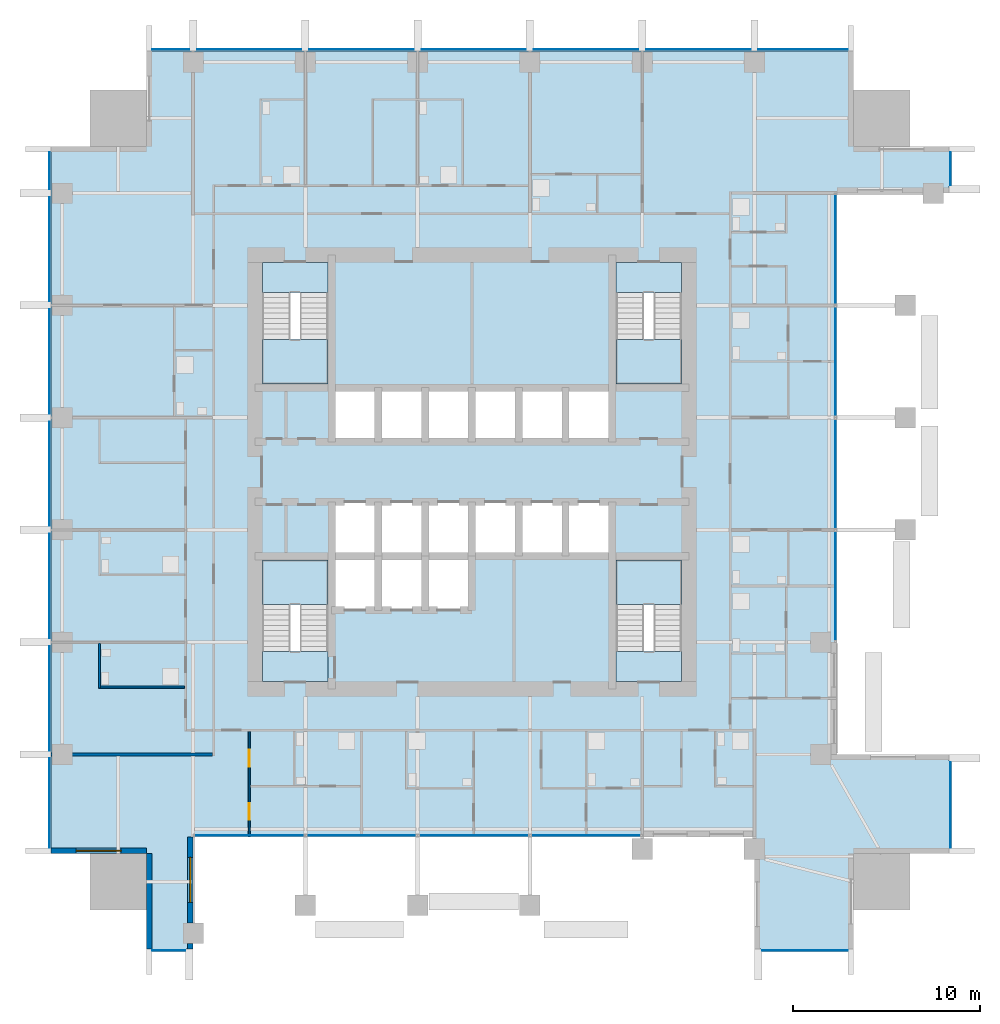
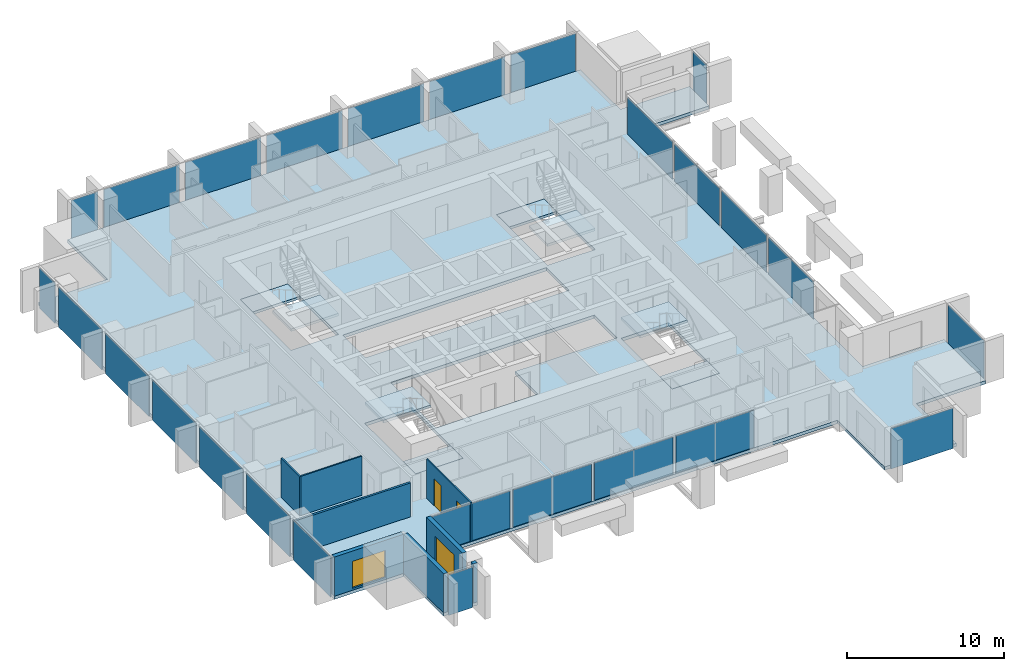
# One storey, part 6 of 13: 26 plates, 9 slabs, 8 walls, 2 doors, 2 windows, 4 openings, 18 elements without a shape of their own.
"""IFC4 building model written with IfcOpenShell, lengths in metres."""

from ifc_helpers import new_model, si_unit, direction, frame, frame_2d, origin, origin_2d, place, context, subcontext, project, spatial, polyline, rectangle, outline, extrude, material, layer, layer_set, type_object, element, fill, aggregate, save


model = new_model("IFC4")

# Units and contexts
model_context = context("Model", 3, precision=1e-05, world=origin(), true_north=direction((0.0, 1.0)))
body_context = subcontext(model_context, "Body", "Model", "MODEL_VIEW")
ifc_project = project(units=[si_unit("LENGTHUNIT", "METRE"), si_unit("AREAUNIT", "SQUARE_METRE"), si_unit("VOLUMEUNIT", "CUBIC_METRE"), si_unit("PLANEANGLEUNIT", "RADIAN"), si_unit("MASSUNIT", "GRAM", prefix="KILO")], contexts=[model_context])

# Site, building, storey
site_placement = place(None, origin())
site = spatial("IfcSite", under=ifc_project, at=site_placement, CompositionType="ELEMENT")
building_placement = place(site_placement, origin())
building = spatial("IfcBuilding", under=site, at=building_placement, Name="Amberfall Residences", CompositionType="ELEMENT")
storey_placement = place(building_placement, frame((0.0, 0.0, 111.699951171875)))
storey = spatial("IfcBuildingStorey", under=building, at=storey_placement, Name="L30", CompositionType="ELEMENT", Elevation=111.699951171875)

# Curtain wall, plate
ifc_material_1 = material(Name="Bronze anodised aluminium and glass", Category="aluminium")
curtain_wall_type_1 = type_object("IfcCurtainWallType", Name="Curtain wall CW1 tower unit", PredefinedType="USERDEFINED", material=ifc_material_1)
curtain_wall_1_placement = place(storey_placement, origin())
curtain_wall_1 = element("IfcCurtainWall", 1, at=curtain_wall_1_placement, inside=storey, type_object=curtain_wall_type_1, Name="Curtain wall L30 S S1", ObjectType="UNITISED CURTAIN WALL", PredefinedType="USERDEFINED")
ifc_material_2 = material(Name="Tinted double glazed unit", Category="glass")
ifc_layer_1 = layer(ifc_material_2, 0.035888671875)
ifc_layer_set_1 = layer_set([ifc_layer_1], Name="CW1 panel 36 glazing")
plate_type_1 = type_object("IfcPlateType", Name="CW1 panel 36 glazing", PredefinedType="CURTAIN_PANEL", material=ifc_layer_set_1)
plate_1_placement = place(storey_placement, frame((58.300048828125, 19.925048828125, -0.25), z_axis=(0.0, 0.0, 1.0), x_axis=(1.0, 0.0, 0.0)))
plate_1 = element("IfcPlate", 2, at=plate_1_placement, type_object=plate_type_1, Name="CW1 panel 1.1", PredefinedType="CURTAIN_PANEL", context=body_context, shape_type="SweptSolid", body=[
    extrude(rectangle(XDim=1.77587890625, YDim=0.035888671875, at=origin_2d()), origin(), (0.0, 0.0, 1.0), 3.14990234375),
])
aggregate(curtain_wall_1, [plate_1])

curtain_wall_2_placement = place(storey_placement, origin())
curtain_wall_2 = element("IfcCurtainWall", 3, at=curtain_wall_2_placement, inside=storey, type_object=curtain_wall_type_1, Name="Curtain wall L30 S S9", ObjectType="UNITISED CURTAIN WALL", PredefinedType="USERDEFINED")
plate_2_placement = place(storey_placement, frame((92.300048828125, 19.925048828125, -0.25), z_axis=(0.0, 0.0, 1.0), x_axis=(1.0, 0.0, 0.0)))
plate_2 = element("IfcPlate", 4, at=plate_2_placement, type_object=plate_type_1, Name="CW1 panel 1.1", PredefinedType="CURTAIN_PANEL", context=body_context, shape_type="SweptSolid", body=[
    extrude(rectangle(XDim=4.575927734375, YDim=0.035888671875, at=origin_2d()), origin(), (0.0, 0.0, 1.0), 3.14990234375),
])
aggregate(curtain_wall_2, [plate_2])

curtain_wall_3_placement = place(storey_placement, origin())
curtain_wall_3 = element("IfcCurtainWall", 5, at=curtain_wall_3_placement, inside=storey, type_object=curtain_wall_type_1, Name="Curtain wall L30 E E1", ObjectType="UNITISED CURTAIN WALL", PredefinedType="USERDEFINED")
plate_3_placement = place(storey_placement, frame((100.074951171875, 27.699951171875, -0.25), z_axis=(0.0, 0.0, 1.0), x_axis=(0.0, 1.0, 0.0)))
plate_3 = element("IfcPlate", 6, at=plate_3_placement, type_object=plate_type_1, Name="CW1 panel 1.1", PredefinedType="CURTAIN_PANEL", context=body_context, shape_type="SweptSolid", body=[
    extrude(rectangle(XDim=4.575927734375, YDim=0.035888671875, at=origin_2d()), origin(), (0.0, 0.0, 1.0), 3.14990234375),
])
aggregate(curtain_wall_3, [plate_3])

curtain_wall_4_placement = place(storey_placement, origin())
curtain_wall_4 = element("IfcCurtainWall", 7, at=curtain_wall_4_placement, inside=storey, type_object=curtain_wall_type_1, Name="Curtain wall L30 E E9", ObjectType="UNITISED CURTAIN WALL", PredefinedType="USERDEFINED")
plate_4_placement = place(storey_placement, frame((100.074951171875, 61.699951171875, -0.25), z_axis=(0.0, 0.0, 1.0), x_axis=(0.0, 1.0, 0.0)))
plate_4 = element("IfcPlate", 8, at=plate_4_placement, type_object=plate_type_1, Name="CW1 panel 1.1", PredefinedType="CURTAIN_PANEL", context=body_context, shape_type="SweptSolid", body=[
    extrude(rectangle(XDim=1.77587890625, YDim=0.035888671875, at=origin_2d()), origin(), (0.0, 0.0, 1.0), 3.14990234375),
])
aggregate(curtain_wall_4, [plate_4])

# Curtain wall, plates
curtain_wall_5_placement = place(storey_placement, origin())
curtain_wall_5 = element("IfcCurtainWall", 9, at=curtain_wall_5_placement, inside=storey, type_object=curtain_wall_type_1, Name="Curtain wall L30 N N1", ObjectType="UNITISED CURTAIN WALL", PredefinedType="USERDEFINED")
plate_5_placement = place(storey_placement, frame((92.199951171875, 68.074951171875, -0.25), z_axis=(0.0, 0.0, 1.0), x_axis=(-1.0, 0.0, 0.0)))
plate_5 = element("IfcPlate", 10, at=plate_5_placement, type_object=plate_type_1, Name="CW1 panel 1.1", PredefinedType="CURTAIN_PANEL", context=body_context, shape_type="SweptSolid", body=[
    extrude(rectangle(XDim=4.77587890625, YDim=0.035888671875, at=origin_2d()), origin(), (0.0, 0.0, 1.0), 3.14990234375),
])
plate_6_placement = place(storey_placement, frame((86.60009765625, 68.074951171875, -0.25), z_axis=(0.0, 0.0, 1.0), x_axis=(-1.0, 0.0, 0.0)))
plate_6 = element("IfcPlate", 11, at=plate_6_placement, type_object=plate_type_1, Name="CW1 panel 2.1", PredefinedType="CURTAIN_PANEL", context=body_context, shape_type="SweptSolid", body=[
    extrude(rectangle(XDim=5.575927734375, YDim=0.035888671875, at=origin_2d()), origin(), (0.0, 0.0, 1.0), 3.14990234375),
])
plate_7_placement = place(storey_placement, frame((80.60009765625, 68.074951171875, -0.25), z_axis=(0.0, 0.0, 1.0), x_axis=(-1.0, 0.0, 0.0)))
plate_7 = element("IfcPlate", 12, at=plate_7_placement, type_object=plate_type_1, Name="CW1 panel 3.1", PredefinedType="CURTAIN_PANEL", context=body_context, shape_type="SweptSolid", body=[
    extrude(rectangle(XDim=5.575927734375, YDim=0.035888671875, at=origin_2d()), origin(), (0.0, 0.0, 1.0), 3.14990234375),
])
plate_8_placement = place(storey_placement, frame((74.60009765625, 68.074951171875, -0.25), z_axis=(0.0, 0.0, 1.0), x_axis=(-1.0, 0.0, 0.0)))
plate_8 = element("IfcPlate", 13, at=plate_8_placement, type_object=plate_type_1, Name="CW1 panel 4.1", PredefinedType="CURTAIN_PANEL", context=body_context, shape_type="SweptSolid", body=[
    extrude(rectangle(XDim=5.575927734375, YDim=0.035888671875, at=origin_2d()), origin(), (0.0, 0.0, 1.0), 3.14990234375),
])
plate_9_placement = place(storey_placement, frame((68.60009765625, 68.074951171875, -0.25), z_axis=(0.0, 0.0, 1.0), x_axis=(-1.0, 0.0, 0.0)))
plate_9 = element("IfcPlate", 14, at=plate_9_placement, type_object=plate_type_1, Name="CW1 panel 5.1", PredefinedType="CURTAIN_PANEL", context=body_context, shape_type="SweptSolid", body=[
    extrude(rectangle(XDim=5.575927734375, YDim=0.035888671875, at=origin_2d()), origin(), (0.0, 0.0, 1.0), 3.14990234375),
])
plate_10_placement = place(storey_placement, frame((62.60009765625, 68.074951171875, -0.25), z_axis=(0.0, 0.0, 1.0), x_axis=(-1.0, 0.0, 0.0)))
plate_10 = element("IfcPlate", 15, at=plate_10_placement, type_object=plate_type_1, Name="CW1 panel 6.1", PredefinedType="CURTAIN_PANEL", context=body_context, shape_type="SweptSolid", body=[
    extrude(rectangle(XDim=5.575927734375, YDim=0.035888671875, at=origin_2d()), origin(), (0.0, 0.0, 1.0), 3.14990234375),
])
plate_11_placement = place(storey_placement, frame((58.39990234375, 68.074951171875, -0.25), z_axis=(0.0, 0.0, 1.0), x_axis=(-1.0, 0.0, 0.0)))
plate_11 = element("IfcPlate", 16, at=plate_11_placement, type_object=plate_type_1, Name="CW1 panel 7.1", PredefinedType="CURTAIN_PANEL", context=body_context, shape_type="SweptSolid", body=[
    extrude(rectangle(XDim=1.97607421875, YDim=0.035888671875, at=origin_2d()), origin(), (0.0, 0.0, 1.0), 3.14990234375),
])
aggregate(curtain_wall_5, [plate_5, plate_6, plate_7, plate_8, plate_9, plate_10, plate_11])

curtain_wall_6_placement = place(storey_placement, origin())
curtain_wall_6 = element("IfcCurtainWall", 17, at=curtain_wall_6_placement, inside=storey, type_object=curtain_wall_type_1, Name="Curtain wall L30 W W1", ObjectType="UNITISED CURTAIN WALL", PredefinedType="USERDEFINED")
plate_12_placement = place(storey_placement, frame((51.925048828125, 61.60009765625, -0.25), z_axis=(0.0, 0.0, 1.0), x_axis=(0.0, -1.0, 0.0)))
plate_12 = element("IfcPlate", 18, at=plate_12_placement, type_object=plate_type_1, Name="CW1 panel 1.1", PredefinedType="CURTAIN_PANEL", context=body_context, shape_type="SweptSolid", body=[
    extrude(rectangle(XDim=1.97607421875, YDim=0.035888671875, at=origin_2d()), origin(), (0.0, 0.0, 1.0), 3.14990234375),
])
plate_13_placement = place(storey_placement, frame((51.925048828125, 57.39990234375, -0.25), z_axis=(0.0, 0.0, 1.0), x_axis=(0.0, -1.0, 0.0)))
plate_13 = element("IfcPlate", 19, at=plate_13_placement, type_object=plate_type_1, Name="CW1 panel 2.1", PredefinedType="CURTAIN_PANEL", context=body_context, shape_type="SweptSolid", body=[
    extrude(rectangle(XDim=5.575927734375, YDim=0.035888671875, at=origin_2d()), origin(), (0.0, 0.0, 1.0), 3.14990234375),
])
plate_14_placement = place(storey_placement, frame((51.925048828125, 51.39990234375, -0.25), z_axis=(0.0, 0.0, 1.0), x_axis=(0.0, -1.0, 0.0)))
plate_14 = element("IfcPlate", 20, at=plate_14_placement, type_object=plate_type_1, Name="CW1 panel 3.1", PredefinedType="CURTAIN_PANEL", context=body_context, shape_type="SweptSolid", body=[
    extrude(rectangle(XDim=5.575927734375, YDim=0.035888671875, at=origin_2d()), origin(), (0.0, 0.0, 1.0), 3.14990234375),
])
plate_15_placement = place(storey_placement, frame((51.925048828125, 45.39990234375, -0.25), z_axis=(0.0, 0.0, 1.0), x_axis=(0.0, -1.0, 0.0)))
plate_15 = element("IfcPlate", 21, at=plate_15_placement, type_object=plate_type_1, Name="CW1 panel 4.1", PredefinedType="CURTAIN_PANEL", context=body_context, shape_type="SweptSolid", body=[
    extrude(rectangle(XDim=5.575927734375, YDim=0.035888671875, at=origin_2d()), origin(), (0.0, 0.0, 1.0), 3.14990234375),
])
plate_16_placement = place(storey_placement, frame((51.925048828125, 39.39990234375, -0.25), z_axis=(0.0, 0.0, 1.0), x_axis=(0.0, -1.0, 0.0)))
plate_16 = element("IfcPlate", 22, at=plate_16_placement, type_object=plate_type_1, Name="CW1 panel 5.1", PredefinedType="CURTAIN_PANEL", context=body_context, shape_type="SweptSolid", body=[
    extrude(rectangle(XDim=5.575927734375, YDim=0.035888671875, at=origin_2d()), origin(), (0.0, 0.0, 1.0), 3.14990234375),
])
plate_17_placement = place(storey_placement, frame((51.925048828125, 33.39990234375, -0.25), z_axis=(0.0, 0.0, 1.0), x_axis=(0.0, -1.0, 0.0)))
plate_17 = element("IfcPlate", 23, at=plate_17_placement, type_object=plate_type_1, Name="CW1 panel 6.1", PredefinedType="CURTAIN_PANEL", context=body_context, shape_type="SweptSolid", body=[
    extrude(rectangle(XDim=5.575927734375, YDim=0.035888671875, at=origin_2d()), origin(), (0.0, 0.0, 1.0), 3.14990234375),
])
plate_18_placement = place(storey_placement, frame((51.925048828125, 27.800048828125, -0.25), z_axis=(0.0, 0.0, 1.0), x_axis=(0.0, -1.0, 0.0)))
plate_18 = element("IfcPlate", 24, at=plate_18_placement, type_object=plate_type_1, Name="CW1 panel 7.1", PredefinedType="CURTAIN_PANEL", context=body_context, shape_type="SweptSolid", body=[
    extrude(rectangle(XDim=4.77587890625, YDim=0.035888671875, at=origin_2d()), origin(), (0.0, 0.0, 1.0), 3.14990234375),
])
aggregate(curtain_wall_6, [plate_12, plate_13, plate_14, plate_15, plate_16, plate_17, plate_18])

# Curtain wall, plate
curtain_wall_type_2 = type_object("IfcCurtainWallType", Name="Curtain wall CW3 sky garden glazing", PredefinedType="USERDEFINED", material=ifc_material_1)
curtain_wall_7_placement = place(storey_placement, origin())
curtain_wall_7 = element("IfcCurtainWall", 25, at=curtain_wall_7_placement, inside=storey, type_object=curtain_wall_type_2, Name="Curtain wall L30 S S3", ObjectType="UNITISED CURTAIN WALL", PredefinedType="USERDEFINED")
ifc_material_3 = material(Name="Tinted laminated double glazed unit", Category="glass")
ifc_layer_2 = layer(ifc_material_3, 0.0439453125)
ifc_layer_set_2 = layer_set([ifc_layer_2], Name="CW3 panel 44 glazing")
plate_type_2 = type_object("IfcPlateType", Name="CW3 panel 44 glazing", PredefinedType="CURTAIN_PANEL", material=ifc_layer_set_2)
plate_19_placement = place(storey_placement, frame((62.60009765625, 26.074951171875, 0.0), z_axis=(0.0, 0.0, 1.0), x_axis=(1.0, 0.0, 0.0)))
plate_19 = element("IfcPlate", 26, at=plate_19_placement, type_object=plate_type_2, Name="CW3 panel 1.1", PredefinedType="CURTAIN_PANEL", context=body_context, shape_type="SweptSolid", body=[
    extrude(rectangle(XDim=5.77587890625, YDim=0.0439453125, at=origin_2d()), origin(), (0.0, 0.0, 1.0), 2.89990234375),
])
aggregate(curtain_wall_7, [plate_19])

curtain_wall_8_placement = place(storey_placement, origin())
curtain_wall_8 = element("IfcCurtainWall", 27, at=curtain_wall_8_placement, inside=storey, type_object=curtain_wall_type_2, Name="Curtain wall L30 S S4", ObjectType="UNITISED CURTAIN WALL", PredefinedType="USERDEFINED")
plate_20_placement = place(storey_placement, frame((68.60009765625, 26.074951171875, 0.0), z_axis=(0.0, 0.0, 1.0), x_axis=(1.0, 0.0, 0.0)))
plate_20 = element("IfcPlate", 28, at=plate_20_placement, type_object=plate_type_2, Name="CW3 panel 1.1", PredefinedType="CURTAIN_PANEL", context=body_context, shape_type="SweptSolid", body=[
    extrude(rectangle(XDim=5.77587890625, YDim=0.0439453125, at=origin_2d()), origin(), (0.0, 0.0, 1.0), 2.89990234375),
])
aggregate(curtain_wall_8, [plate_20])

curtain_wall_9_placement = place(storey_placement, origin())
curtain_wall_9 = element("IfcCurtainWall", 29, at=curtain_wall_9_placement, inside=storey, type_object=curtain_wall_type_2, Name="Curtain wall L30 S S5", ObjectType="UNITISED CURTAIN WALL", PredefinedType="USERDEFINED")
plate_21_placement = place(storey_placement, frame((74.60009765625, 26.074951171875, 0.0), z_axis=(0.0, 0.0, 1.0), x_axis=(1.0, 0.0, 0.0)))
plate_21 = element("IfcPlate", 30, at=plate_21_placement, type_object=plate_type_2, Name="CW3 panel 1.1", PredefinedType="CURTAIN_PANEL", context=body_context, shape_type="SweptSolid", body=[
    extrude(rectangle(XDim=5.77587890625, YDim=0.0439453125, at=origin_2d()), origin(), (0.0, 0.0, 1.0), 2.89990234375),
])
aggregate(curtain_wall_9, [plate_21])

curtain_wall_10_placement = place(storey_placement, origin())
curtain_wall_10 = element("IfcCurtainWall", 31, at=curtain_wall_10_placement, inside=storey, type_object=curtain_wall_type_2, Name="Curtain wall L30 S S6", ObjectType="UNITISED CURTAIN WALL", PredefinedType="USERDEFINED")
plate_22_placement = place(storey_placement, frame((80.60009765625, 26.074951171875, 0.0), z_axis=(0.0, 0.0, 1.0), x_axis=(1.0, 0.0, 0.0)))
plate_22 = element("IfcPlate", 32, at=plate_22_placement, type_object=plate_type_2, Name="CW3 panel 1.1", PredefinedType="CURTAIN_PANEL", context=body_context, shape_type="SweptSolid", body=[
    extrude(rectangle(XDim=5.77587890625, YDim=0.0439453125, at=origin_2d()), origin(), (0.0, 0.0, 1.0), 2.89990234375),
])
aggregate(curtain_wall_10, [plate_22])

curtain_wall_11_placement = place(storey_placement, origin())
curtain_wall_11 = element("IfcCurtainWall", 33, at=curtain_wall_11_placement, inside=storey, type_object=curtain_wall_type_2, Name="Curtain wall L30 E E4", ObjectType="UNITISED CURTAIN WALL", PredefinedType="USERDEFINED")
plate_23_placement = place(storey_placement, frame((93.925048828125, 39.39990234375, 0.0), z_axis=(0.0, 0.0, 1.0), x_axis=(0.0, 1.0, 0.0)))
plate_23 = element("IfcPlate", 34, at=plate_23_placement, type_object=plate_type_2, Name="CW3 panel 1.1", PredefinedType="CURTAIN_PANEL", context=body_context, shape_type="SweptSolid", body=[
    extrude(rectangle(XDim=5.77587890625, YDim=0.0439453125, at=origin_2d()), origin(), (0.0, 0.0, 1.0), 2.89990234375),
])
aggregate(curtain_wall_11, [plate_23])

curtain_wall_12_placement = place(storey_placement, origin())
curtain_wall_12 = element("IfcCurtainWall", 35, at=curtain_wall_12_placement, inside=storey, type_object=curtain_wall_type_2, Name="Curtain wall L30 E E5", ObjectType="UNITISED CURTAIN WALL", PredefinedType="USERDEFINED")
plate_24_placement = place(storey_placement, frame((93.925048828125, 45.39990234375, 0.0), z_axis=(0.0, 0.0, 1.0), x_axis=(0.0, 1.0, 0.0)))
plate_24 = element("IfcPlate", 36, at=plate_24_placement, type_object=plate_type_2, Name="CW3 panel 1.1", PredefinedType="CURTAIN_PANEL", context=body_context, shape_type="SweptSolid", body=[
    extrude(rectangle(XDim=5.77587890625, YDim=0.0439453125, at=origin_2d()), origin(), (0.0, 0.0, 1.0), 2.89990234375),
])
aggregate(curtain_wall_12, [plate_24])

curtain_wall_13_placement = place(storey_placement, origin())
curtain_wall_13 = element("IfcCurtainWall", 37, at=curtain_wall_13_placement, inside=storey, type_object=curtain_wall_type_2, Name="Curtain wall L30 E E6", ObjectType="UNITISED CURTAIN WALL", PredefinedType="USERDEFINED")
plate_25_placement = place(storey_placement, frame((93.925048828125, 51.39990234375, 0.0), z_axis=(0.0, 0.0, 1.0), x_axis=(0.0, 1.0, 0.0)))
plate_25 = element("IfcPlate", 38, at=plate_25_placement, type_object=plate_type_2, Name="CW3 panel 1.1", PredefinedType="CURTAIN_PANEL", context=body_context, shape_type="SweptSolid", body=[
    extrude(rectangle(XDim=5.77587890625, YDim=0.0439453125, at=origin_2d()), origin(), (0.0, 0.0, 1.0), 2.89990234375),
])
aggregate(curtain_wall_13, [plate_25])

curtain_wall_14_placement = place(storey_placement, origin())
curtain_wall_14 = element("IfcCurtainWall", 39, at=curtain_wall_14_placement, inside=storey, type_object=curtain_wall_type_2, Name="Curtain wall L30 E E7", ObjectType="UNITISED CURTAIN WALL", PredefinedType="USERDEFINED")
plate_26_placement = place(storey_placement, frame((93.925048828125, 57.39990234375, 0.0), z_axis=(0.0, 0.0, 1.0), x_axis=(0.0, 1.0, 0.0)))
plate_26 = element("IfcPlate", 40, at=plate_26_placement, type_object=plate_type_2, Name="CW3 panel 1.1", PredefinedType="CURTAIN_PANEL", context=body_context, shape_type="SweptSolid", body=[
    extrude(rectangle(XDim=5.77587890625, YDim=0.0439453125, at=origin_2d()), origin(), (0.0, 0.0, 1.0), 2.89990234375),
])
aggregate(curtain_wall_14, [plate_26])

# Slab
ifc_material_4 = material(Name="Concrete C70", Category="concrete")
ifc_layer_3 = layer(ifc_material_4, 0.25)
ifc_layer_set_3 = layer_set([ifc_layer_3], Name="Floor slab 250 C70")
slab_type_1 = type_object("IfcSlabType", Name="Floor slab 250 C70", PredefinedType="FLOOR", material=ifc_layer_set_3)
slab_1_placement = place(storey_placement, frame((0.0, 0.0, -0.25)))
element("IfcSlab", 41, at=slab_1_placement, inside=storey, type_object=slab_type_1, Name="Floor slab S7 L30", PredefinedType="FLOOR", context=body_context, shape_type="SweptSolid", body=[
    extrude(outline(polyline([(89.60009765625, 20.0), (89.60009765625, 26.0), (83.60009765625, 26.0), (77.60009765625, 26.0), (71.60009765625, 26.0), (65.60009765625, 26.0), (59.60009765625, 26.0), (59.60009765625, 20.0), (57.10009765625, 20.0), (57.10009765625, 25.10009765625), (52.0, 25.10009765625), (52.0, 62.89990234375), (57.10009765625, 62.89990234375), (57.10009765625, 68.0), (94.89990234375, 68.0), (94.89990234375, 62.89990234375), (100.0, 62.89990234375), (100.0, 60.39990234375), (94.0, 60.39990234375), (94.0, 54.39990234375), (94.0, 48.39990234375), (94.0, 42.39990234375), (94.0, 36.39990234375), (94.0, 30.39990234375), (100.0, 30.39990234375), (100.0, 25.10009765625), (94.89990234375, 25.10009765625), (94.89990234375, 20.0), (89.60009765625, 20.0)]), holes=[polyline([(85.699951171875, 34.300048828125), (85.699951171875, 40.800048828125), (82.199951171875, 40.800048828125), (82.199951171875, 34.300048828125), (85.699951171875, 34.300048828125)]), polyline([(82.199951171875, 50.199951171875), (85.699951171875, 50.199951171875), (85.699951171875, 56.699951171875), (82.199951171875, 56.699951171875), (82.199951171875, 50.199951171875)]), polyline([(69.5, 50.0), (67.0, 50.0), (67.0, 47.10009765625), (69.5, 47.10009765625), (72.0, 47.10009765625), (74.5, 47.10009765625), (77.0, 47.10009765625), (79.5, 47.10009765625), (82.0, 47.10009765625), (82.0, 50.0), (79.5, 50.0), (77.0, 50.0), (74.5, 50.0), (72.0, 50.0), (69.5, 50.0)]), polyline([(74.5, 41.0), (77.0, 41.0), (79.5, 41.0), (82.0, 41.0), (82.0, 43.89990234375), (79.5, 43.89990234375), (77.0, 43.89990234375), (74.5, 43.89990234375), (72.0, 43.89990234375), (69.5, 43.89990234375), (67.0, 43.89990234375), (67.0, 41.0), (67.0, 38.10009765625), (69.5, 38.10009765625), (72.0, 38.10009765625), (74.5, 38.10009765625), (74.5, 41.0)]), polyline([(66.800048828125, 34.300048828125), (66.800048828125, 40.800048828125), (63.300048828125, 40.800048828125), (63.300048828125, 34.300048828125), (66.800048828125, 34.300048828125)]), polyline([(66.800048828125, 50.199951171875), (66.800048828125, 56.699951171875), (63.300048828125, 56.699951171875), (63.300048828125, 50.199951171875), (66.800048828125, 50.199951171875)])]), origin(), (0.0, 0.0, 1.0), 0.25),
])

# Stair, slabs
ifc_material_5 = material(Name="Concrete C40", Category="concrete")
stair_type = type_object("IfcStairType", Name="Exit stair 20 risers 165.0 mm", PredefinedType="HALF_TURN_STAIR", material=ifc_material_5)
stair_1_placement = place(storey_placement, origin())
stair_1 = element("IfcStair", 42, at=stair_1_placement, inside=storey, type_object=stair_type, Name="L30 Exit stair 1", PredefinedType="HALF_TURN_STAIR")
ifc_layer_4 = layer(ifc_material_5, 0.199951171875)
ifc_layer_set_4 = layer_set([ifc_layer_4], Name="Stair landing 200")
slab_type_2 = type_object("IfcSlabType", Name="Stair landing 200", PredefinedType="LANDING", material=ifc_layer_set_4)
slab_2_placement = place(storey_placement, frame((0.0, 0.0, 1.449951171875)))
slab_2 = element("IfcSlab", 43, at=slab_2_placement, type_object=slab_type_2, Name="ST3 landing 1", PredefinedType="LANDING", context=body_context, shape_type="SweptSolid", body=[
    extrude(outline(polyline([(66.800048828125, 38.419921875), (66.800048828125, 40.800048828125), (63.300048828125, 40.800048828125), (63.300048828125, 38.419921875), (66.800048828125, 38.419921875)])), origin(), (0.0, 0.0, 1.0), 0.2001953125),
])
slab_3_placement = place(storey_placement, frame((0.0, 0.0, -0.199951171875)))
slab_3 = element("IfcSlab", 44, at=slab_3_placement, type_object=slab_type_2, Name="ST3 landing 2", PredefinedType="LANDING", context=body_context, shape_type="SweptSolid", body=[
    extrude(outline(polyline([(66.800048828125, 34.300048828125), (66.800048828125, 35.89990234375), (63.300048828125, 35.89990234375), (63.300048828125, 34.300048828125), (66.800048828125, 34.300048828125)])), origin(), (0.0, 0.0, 1.0), 0.199951171875),
])
aggregate(stair_1, [slab_2, slab_3])

stair_2_placement = place(storey_placement, origin())
stair_2 = element("IfcStair", 45, at=stair_2_placement, inside=storey, type_object=stair_type, Name="L30 Exit stair 2", PredefinedType="HALF_TURN_STAIR")
slab_4_placement = place(storey_placement, frame((0.0, 0.0, 1.449951171875)))
slab_4 = element("IfcSlab", 46, at=slab_4_placement, type_object=slab_type_2, Name="ST3 landing 1", PredefinedType="LANDING", context=body_context, shape_type="SweptSolid", body=[
    extrude(outline(polyline([(85.699951171875, 38.419921875), (85.699951171875, 40.800048828125), (82.199951171875, 40.800048828125), (82.199951171875, 38.419921875), (85.699951171875, 38.419921875)])), origin(), (0.0, 0.0, 1.0), 0.2001953125),
])
slab_5_placement = place(storey_placement, frame((0.0, 0.0, -0.199951171875)))
slab_5 = element("IfcSlab", 47, at=slab_5_placement, type_object=slab_type_2, Name="ST3 landing 2", PredefinedType="LANDING", context=body_context, shape_type="SweptSolid", body=[
    extrude(outline(polyline([(85.699951171875, 34.300048828125), (85.699951171875, 35.89990234375), (82.199951171875, 35.89990234375), (82.199951171875, 34.300048828125), (85.699951171875, 34.300048828125)])), origin(), (0.0, 0.0, 1.0), 0.199951171875),
])
aggregate(stair_2, [slab_4, slab_5])

stair_3_placement = place(storey_placement, origin())
stair_3 = element("IfcStair", 48, at=stair_3_placement, inside=storey, type_object=stair_type, Name="L30 Exit stair 3", PredefinedType="HALF_TURN_STAIR")
slab_6_placement = place(storey_placement, frame((0.0, 0.0, 1.449951171875)))
slab_6 = element("IfcSlab", 49, at=slab_6_placement, type_object=slab_type_2, Name="ST3 landing 1", PredefinedType="LANDING", context=body_context, shape_type="SweptSolid", body=[
    extrude(outline(polyline([(82.199951171875, 52.580078125), (82.199951171875, 50.199951171875), (85.699951171875, 50.199951171875), (85.699951171875, 52.580078125), (82.199951171875, 52.580078125)])), origin(), (0.0, 0.0, 1.0), 0.2001953125),
])
slab_7_placement = place(storey_placement, frame((0.0, 0.0, -0.199951171875)))
slab_7 = element("IfcSlab", 50, at=slab_7_placement, type_object=slab_type_2, Name="ST3 landing 2", PredefinedType="LANDING", context=body_context, shape_type="SweptSolid", body=[
    extrude(outline(polyline([(82.199951171875, 56.699951171875), (82.199951171875, 55.10009765625), (85.699951171875, 55.10009765625), (85.699951171875, 56.699951171875), (82.199951171875, 56.699951171875)])), origin(), (0.0, 0.0, 1.0), 0.199951171875),
])
aggregate(stair_3, [slab_6, slab_7])

stair_4_placement = place(storey_placement, origin())
stair_4 = element("IfcStair", 51, at=stair_4_placement, inside=storey, type_object=stair_type, Name="L30 Exit stair 4", PredefinedType="HALF_TURN_STAIR")
slab_8_placement = place(storey_placement, frame((0.0, 0.0, 1.449951171875)))
slab_8 = element("IfcSlab", 52, at=slab_8_placement, type_object=slab_type_2, Name="ST3 landing 1", PredefinedType="LANDING", context=body_context, shape_type="SweptSolid", body=[
    extrude(outline(polyline([(63.300048828125, 52.580078125), (63.300048828125, 50.199951171875), (66.800048828125, 50.199951171875), (66.800048828125, 52.580078125), (63.300048828125, 52.580078125)])), origin(), (0.0, 0.0, 1.0), 0.2001953125),
])
slab_9_placement = place(storey_placement, frame((0.0, 0.0, -0.199951171875)))
slab_9 = element("IfcSlab", 53, at=slab_9_placement, type_object=slab_type_2, Name="ST3 landing 2", PredefinedType="LANDING", context=body_context, shape_type="SweptSolid", body=[
    extrude(outline(polyline([(63.300048828125, 56.699951171875), (63.300048828125, 55.10009765625), (66.800048828125, 55.10009765625), (66.800048828125, 56.699951171875), (63.300048828125, 56.699951171875)])), origin(), (0.0, 0.0, 1.0), 0.199951171875),
])
aggregate(stair_4, [slab_8, slab_9])

# Wall
ifc_material_6 = material(Name="Pale stone cladding on insulated backing", Category="masonry")
ifc_layer_5 = layer(ifc_material_6, 0.300048828125)
ifc_layer_set_5 = layer_set([ifc_layer_5], Name="Bronze clad wall 300")
wall_type_1 = type_object("IfcWallType", Name="Bronze clad wall 300", PredefinedType="SOLIDWALL", material=ifc_layer_set_5)
wall_1_placement = place(storey_placement, frame((59.449951171875, 20.0, 0.0), z_axis=(0.0, 0.0, 1.0), x_axis=(0.0, 1.0, 0.0)))
element("IfcWall", 54, at=wall_1_placement, inside=storey, type_object=wall_type_1, Name="External wall L30 S", PredefinedType="SOLIDWALL", context=body_context, shape_type="SweptSolid", body=[
    extrude(rectangle(XDim=0.300048828125, YDim=0.300048828125, at=frame_2d((0.14990234375, 0.0))), origin(), (0.0, 0.0, 1.0), 3.050048828125),
])

# Wall, opening, window
wall_2_placement = place(storey_placement, frame((59.449951171875, 21.39990234375, 0.0), z_axis=(0.0, 0.0, 1.0), x_axis=(0.0, 1.0, 0.0)))
wall_2 = element("IfcWall", 55, at=wall_2_placement, inside=storey, type_object=wall_type_1, Name="External wall L30 S", PredefinedType="SOLIDWALL", context=body_context, shape_type="SweptSolid", body=[
    extrude(rectangle(XDim=4.60009765625, YDim=0.300048828125, at=frame_2d((2.300048828125, 0.0))), origin(), (0.0, 0.0, 1.0), 3.050048828125),
])
opening_1_placement = place(wall_2_placement, frame((1.10009765625, 0.0, 0.14990234375)))
opening_1 = element("IfcOpeningElement", 56, at=opening_1_placement, cuts=wall_2, Name="Opening WN5", PredefinedType="OPENING", context=body_context, shape_type="SweptSolid", body=[
    extrude(rectangle(XDim=2.39990234375, YDim=2.10009765625, at=frame_2d((1.199951171875, 1.050048828125))), frame((0.0, 0.159912109375, 0.0), z_axis=(0.0, -1.0, 0.0), x_axis=(1.0, 0.0, 0.0)), (0.0, 0.0, 1.0), 0.320068359375),
])
ifc_material_7 = material(Name="Bronze aluminium framed glazing", Category="aluminium")
window_type = type_object("IfcWindowType", Name="Glazed opening 2400 x 2100 bronze", PartitioningType="DOUBLE_PANEL_VERTICAL", PredefinedType="WINDOW", material=ifc_material_7)
window_1_placement = place(opening_1_placement, origin())
window_1 = element("IfcWindow", 57, at=window_1_placement, inside=storey, type_object=window_type, Name="Window L30 S", OverallHeight=2.10009765625, OverallWidth=2.39990234375, PartitioningType="DOUBLE_PANEL_VERTICAL", PredefinedType="WINDOW", context=body_context, shape_type="SweptSolid", body=[
    extrude(rectangle(XDim=2.39990234375, YDim=2.10009765625, at=frame_2d((1.199951171875, 1.050048828125))), frame((0.0, 0.030029296875, 0.0), z_axis=(0.0, -1.0, 0.0), x_axis=(1.0, 0.0, 0.0)), (0.0, 0.0, 1.0), 0.06005859375),
])
fill(opening_1, window_1)

wall_3_placement = place(storey_placement, frame((52.0, 25.25, 0.0), z_axis=(0.0, 0.0, 1.0), x_axis=(1.0, 0.0, 0.0)))
wall_3 = element("IfcWall", 58, at=wall_3_placement, inside=storey, type_object=wall_type_1, Name="External wall L30 SW", PredefinedType="SOLIDWALL", context=body_context, shape_type="SweptSolid", body=[
    extrude(rectangle(XDim=5.10009765625, YDim=0.300048828125, at=frame_2d((2.550048828125, 0.0))), origin(), (0.0, 0.0, 1.0), 3.050048828125),
])
opening_2_placement = place(wall_3_placement, frame((1.35009765625, 0.0, 0.14990234375)))
opening_2 = element("IfcOpeningElement", 59, at=opening_2_placement, cuts=wall_3, Name="Opening WN5", PredefinedType="OPENING", context=body_context, shape_type="SweptSolid", body=[
    extrude(rectangle(XDim=2.39990234375, YDim=2.10009765625, at=frame_2d((1.199951171875, 1.050048828125))), frame((0.0, 0.159912109375, 0.0), z_axis=(0.0, -1.0, 0.0), x_axis=(1.0, 0.0, 0.0)), (0.0, 0.0, 1.0), 0.320068359375),
])
window_2_placement = place(opening_2_placement, origin())
window_2 = element("IfcWindow", 60, at=window_2_placement, inside=storey, type_object=window_type, Name="Window L30 SW", OverallHeight=2.10009765625, OverallWidth=2.39990234375, PartitioningType="DOUBLE_PANEL_VERTICAL", PredefinedType="WINDOW", context=body_context, shape_type="SweptSolid", body=[
    extrude(rectangle(XDim=2.39990234375, YDim=2.10009765625, at=frame_2d((1.199951171875, 1.050048828125))), frame((0.0, 0.030029296875, 0.0), z_axis=(0.0, -1.0, 0.0), x_axis=(1.0, 0.0, 0.0)), (0.0, 0.0, 1.0), 0.06005859375),
])
fill(opening_2, window_2)

# Walls
wall_4_placement = place(storey_placement, frame((57.25, 25.10009765625, 0.0), z_axis=(0.0, 0.0, 1.0), x_axis=(0.0, -1.0, 0.0)))
element("IfcWall", 61, at=wall_4_placement, inside=storey, type_object=wall_type_1, Name="External wall L30 SW", PredefinedType="SOLIDWALL", context=body_context, shape_type="SweptSolid", body=[
    extrude(rectangle(XDim=5.10009765625, YDim=0.300048828125, at=frame_2d((2.550048828125, 0.0))), origin(), (0.0, 0.0, 1.0), 3.050048828125),
])
ifc_material_8 = material(Name="Gypsum board on metal stud")
ifc_layer_6 = layer(ifc_material_8, 0.10009765625)
ifc_layer_set_6 = layer_set([ifc_layer_6], Name="Flat partition 100")
wall_type_2 = type_object("IfcWallType", Name="Flat partition 100", PredefinedType="PARTITIONING", material=ifc_layer_set_6)
wall_5_placement = place(storey_placement, frame((54.60009765625, 33.949951171875, 0.0), z_axis=(0.0, 0.0, 1.0), x_axis=(0.0, 1.0, 0.0)))
element("IfcWall", 62, at=wall_5_placement, inside=storey, type_object=wall_type_2, Name="Partition 001", PredefinedType="PARTITIONING", context=body_context, shape_type="SweptSolid", body=[
    extrude(rectangle(XDim=2.400146484375, YDim=0.10009765625, at=frame_2d((1.2001953125, 0.0))), origin(), (0.0, 0.0, 1.0), 3.050048828125),
])

# Wall, openings, doors
wall_6_placement = place(storey_placement, frame((62.60009765625, 31.625, 0.0), z_axis=(0.0, 0.0, 1.0), x_axis=(0.0, -1.0, 0.0)))
wall_6 = element("IfcWall", 63, at=wall_6_placement, inside=storey, type_object=wall_type_2, Name="Partition 007", PredefinedType="PARTITIONING", context=body_context, shape_type="SweptSolid", body=[
    extrude(rectangle(XDim=5.625, YDim=0.10009765625, at=frame_2d((2.8125, 0.0))), origin(), (0.0, 0.0, 1.0), 3.050048828125),
])
opening_3_placement = place(wall_6_placement, frame((0.97509765625, 0.0, 0.0)))
opening_3 = element("IfcOpeningElement", 64, at=opening_3_placement, cuts=wall_6, Name="Opening D41", PredefinedType="OPENING", context=body_context, shape_type="SweptSolid", body=[
    extrude(rectangle(XDim=0.89990234375, YDim=2.10009765625, at=frame_2d((0.449951171875, 1.050048828125))), frame((0.0, 0.06005859375, 0.0), z_axis=(0.0, -1.0, 0.0), x_axis=(1.0, 0.0, 0.0)), (0.0, 0.0, 1.0), 0.1201171875),
])
opening_4_placement = place(wall_6_placement, frame((3.824951171875, 0.0, 0.0)))
opening_4 = element("IfcOpeningElement", 65, at=opening_4_placement, cuts=wall_6, Name="Opening D41", PredefinedType="OPENING", context=body_context, shape_type="SweptSolid", body=[
    extrude(rectangle(XDim=0.89990234375, YDim=2.10009765625, at=frame_2d((0.449951171875, 1.050048828125))), frame((0.0, 0.06005859375, 0.0), z_axis=(0.0, -1.0, 0.0), x_axis=(1.0, 0.0, 0.0)), (0.0, 0.0, 1.0), 0.1201171875),
])
ifc_material_9 = material(Name="Timber", Category="wood")
door_type = type_object("IfcDoorType", Name="Internal door 900 x 2100", OperationType="SINGLE_SWING_LEFT", PredefinedType="DOOR", material=ifc_material_9)
door_1_placement = place(opening_3_placement, origin())
door_1 = element("IfcDoor", 66, at=door_1_placement, inside=storey, type_object=door_type, Name="Door 3001 kitchen", OperationType="SINGLE_SWING_LEFT", OverallHeight=2.10009765625, OverallWidth=0.89990234375, PredefinedType="DOOR", context=body_context, shape_type="SweptSolid", body=[
    extrude(rectangle(XDim=0.89990234375, YDim=2.10009765625, at=frame_2d((0.449951171875, 1.050048828125))), frame((0.0, 0.02490234375, 0.0), z_axis=(0.0, -1.0, 0.0), x_axis=(1.0, 0.0, 0.0)), (0.0, 0.0, 1.0), 0.050048828125),
])
fill(opening_3, door_1)
door_2_placement = place(opening_4_placement, origin())
door_2 = element("IfcDoor", 67, at=door_2_placement, inside=storey, type_object=door_type, Name="Door 3001 bedroom1", OperationType="SINGLE_SWING_LEFT", OverallHeight=2.10009765625, OverallWidth=0.89990234375, PredefinedType="DOOR", context=body_context, shape_type="SweptSolid", body=[
    extrude(rectangle(XDim=0.89990234375, YDim=2.10009765625, at=frame_2d((0.449951171875, 1.050048828125))), frame((0.0, 0.02490234375, 0.0), z_axis=(0.0, -1.0, 0.0), x_axis=(1.0, 0.0, 0.0)), (0.0, 0.0, 1.0), 0.050048828125),
])
fill(opening_4, door_2)

# Walls
wall_7_placement = place(storey_placement, frame((54.64990234375, 34.0, 0.0), z_axis=(0.0, 0.0, 1.0), x_axis=(1.0, 0.0, 0.0)))
element("IfcWall", 68, at=wall_7_placement, inside=storey, type_object=wall_type_2, Name="Partition 043", PredefinedType="PARTITIONING", context=body_context, shape_type="SweptSolid", body=[
    extrude(rectangle(XDim=4.5, YDim=0.10009765625, at=frame_2d((2.25, 0.0))), origin(), (0.0, 0.0, 1.0), 3.050048828125),
])
ifc_material_10 = material(Name="Blockwork, plastered", Category="masonry")
ifc_layer_7 = layer(ifc_material_10, 0.14990234375)
ifc_layer_set_7 = layer_set([ifc_layer_7], Name="Flat separating wall 150")
wall_type_3 = type_object("IfcWallType", Name="Flat separating wall 150", PredefinedType="PARTITIONING", material=ifc_layer_set_7)
wall_8_placement = place(storey_placement, frame((52.0, 30.39990234375, 0.0), z_axis=(0.0, 0.0, 1.0), x_axis=(1.0, 0.0, 0.0)))
element("IfcWall", 69, at=wall_8_placement, inside=storey, type_object=wall_type_3, Name="Separating wall 064", PredefinedType="PARTITIONING", context=body_context, shape_type="SweptSolid", body=[
    extrude(rectangle(XDim=8.625, YDim=0.14990234375, at=frame_2d((4.3125, 0.0))), origin(), (0.0, 0.0, 1.0), 2.64697265625),
])

save(model, "model.ifc")
